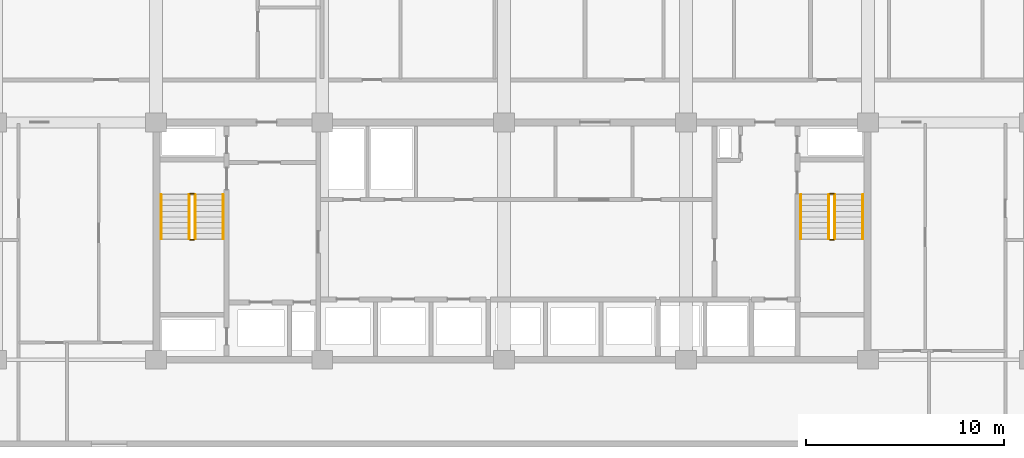
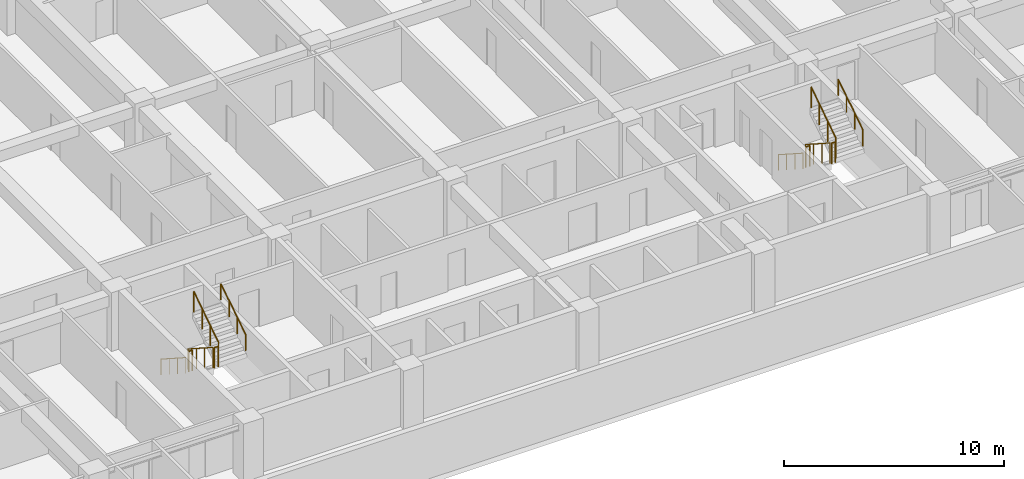
# One storey, part 22 of 23: 12 railings.
"""IFC4 building model written with IfcOpenShell, lengths in metres."""

from ifc_helpers import new_model, si_unit, direction, frame, origin, origin_2d, place, context, subcontext, project, spatial, circle, extrude, material, type_object, element, save


model = new_model("IFC4")

# Units and contexts
model_context = context("Model", 3, precision=1e-05, world=origin(), true_north=direction((0.0, 1.0)))
body_context = subcontext(model_context, "Body", "Model", "MODEL_VIEW")
ifc_project = project(units=[si_unit("LENGTHUNIT", "METRE"), si_unit("AREAUNIT", "SQUARE_METRE"), si_unit("VOLUMEUNIT", "CUBIC_METRE"), si_unit("PLANEANGLEUNIT", "RADIAN"), si_unit("MASSUNIT", "GRAM", prefix="KILO")], contexts=[model_context])

# Site, building, storey
site_placement = place(None, origin())
site = spatial("IfcSite", under=ifc_project, at=site_placement, CompositionType="ELEMENT")
building_placement = place(site_placement, origin())
building = spatial("IfcBuilding", under=site, at=building_placement, Name="Korimba Cascade Residences", CompositionType="ELEMENT")
storey_placement = place(building_placement, frame((0.0, 0.0, 37.0)))
storey = spatial("IfcBuildingStorey", under=building, at=storey_placement, Name="L09", CompositionType="ELEMENT", Elevation=37.0)

# Railings
ifc_material_1 = material(Name="Painted Steel Stairwell Guardrail", Category="steel")
railing_type_1 = type_object("IfcRailingType", Name="RLG-ST-GD1150", PredefinedType="GUARDRAIL", material=ifc_material_1)
railing_1_placement = place(storey_placement, frame((77.77001953125, 63.550048828125, 0.1806640625)))
element("IfcRailing", 1, at=railing_1_placement, inside=storey, type_object=railing_type_1, Name="L09 ST-W1 stair guard 1", PredefinedType="GUARDRAIL", context=body_context, shape_type="SweptSolid", body=[
    extrude(circle(Radius=0.02392578125, at=origin_2d()), frame((0.0, 0.0, 1.1259765625), z_axis=(0.0, -0.840436612492, 0.541909863706), x_axis=(1.0, 0.0, 0.0)), (0.0, 0.0, 1.0), 2.665283203125),
    extrude(circle(Radius=0.02099609375, at=origin_2d()), origin(), (0.0, 0.0, 1.0), 1.101806640625),
    extrude(circle(Radius=0.02099609375, at=origin_2d()), frame((0.0, -0.74658203125, 0.4814453125)), (0.0, 0.0, 1.0), 1.101806640625),
    extrude(circle(Radius=0.02099609375, at=origin_2d()), frame((0.0, -1.493408203125, 0.962890625)), (0.0, 0.0, 1.0), 1.101806640625),
    extrude(circle(Radius=0.02099609375, at=origin_2d()), frame((0.0, -2.239990234375, 1.4443359375)), (0.0, 0.0, 1.0), 1.101806640625),
])
railing_2_placement = place(storey_placement, frame((77.820068359375, 61.260009765625, 1.625)))
element("IfcRailing", 2, at=railing_2_placement, inside=storey, type_object=railing_type_1, Name="L09 ST-W1 stair guard 2", PredefinedType="GUARDRAIL", context=body_context, shape_type="SweptSolid", body=[
    extrude(circle(Radius=0.02392578125, at=origin_2d()), frame((0.0, 0.0, 1.1259765625), z_axis=(1.0, 0.0, 0.0), x_axis=(0.0, 1.0, 0.0)), (0.0, 0.0, 1.0), 0.199951171875),
    extrude(circle(Radius=0.02099609375, at=origin_2d()), origin(), (0.0, 0.0, 1.0), 1.101806640625),
    extrude(circle(Radius=0.02099609375, at=origin_2d()), frame((0.199951171875, 0.0, 0.0)), (0.0, 0.0, 1.0), 1.101806640625),
])
railing_3_placement = place(storey_placement, frame((78.070068359375, 61.31005859375, 1.8056640625)))
element("IfcRailing", 3, at=railing_3_placement, inside=storey, type_object=railing_type_1, Name="L09 ST-W1 stair guard 3", PredefinedType="GUARDRAIL", context=body_context, shape_type="SweptSolid", body=[
    extrude(circle(Radius=0.02392578125, at=origin_2d()), frame((0.0, 0.0, 1.1259765625), z_axis=(0.0, 0.840436612492, 0.541909863706), x_axis=(-1.0, 0.0, 0.0)), (0.0, 0.0, 1.0), 2.665283203125),
    extrude(circle(Radius=0.02099609375, at=origin_2d()), origin(), (0.0, 0.0, 1.0), 1.101806640625),
    extrude(circle(Radius=0.02099609375, at=origin_2d()), frame((0.0, 0.74658203125, 0.4814453125)), (0.0, 0.0, 1.0), 1.101806640625),
    extrude(circle(Radius=0.02099609375, at=origin_2d()), frame((0.0, 1.493408203125, 0.962890625)), (0.0, 0.0, 1.0), 1.101806640625),
    extrude(circle(Radius=0.02099609375, at=origin_2d()), frame((0.0, 2.239990234375, 1.4443359375)), (0.0, 0.0, 1.0), 1.101806640625),
])
railing_4_placement = place(storey_placement, frame((77.820068359375, 63.60009765625, 0.0)))
element("IfcRailing", 4, at=railing_4_placement, inside=storey, type_object=railing_type_1, Name="L09 ST-W1 stair guard 4", PredefinedType="GUARDRAIL", context=body_context, shape_type="SweptSolid", body=[
    extrude(circle(Radius=0.02392578125, at=origin_2d()), frame((0.0, 0.0, 1.1259765625), z_axis=(1.0, 0.0, 0.0), x_axis=(0.0, 1.0, 0.0)), (0.0, 0.0, 1.0), 0.199951171875),
    extrude(circle(Radius=0.02099609375, at=origin_2d()), origin(), (0.0, 0.0, 1.0), 1.101806640625),
    extrude(circle(Radius=0.02099609375, at=origin_2d()), frame((0.199951171875, 0.0, 0.0)), (0.0, 0.0, 1.0), 1.101806640625),
])
railing_5_placement = place(storey_placement, frame((110.1298828125, 63.550048828125, 0.1806640625)))
element("IfcRailing", 5, at=railing_5_placement, inside=storey, type_object=railing_type_1, Name="L09 ST-W2 stair guard 1", PredefinedType="GUARDRAIL", context=body_context, shape_type="SweptSolid", body=[
    extrude(circle(Radius=0.02392578125, at=origin_2d()), frame((0.0, 0.0, 1.1259765625), z_axis=(0.0, -0.840436612492, 0.541909863706), x_axis=(1.0, 0.0, 0.0)), (0.0, 0.0, 1.0), 2.665283203125),
    extrude(circle(Radius=0.02099609375, at=origin_2d()), origin(), (0.0, 0.0, 1.0), 1.101806640625),
    extrude(circle(Radius=0.02099609375, at=origin_2d()), frame((0.0, -0.74658203125, 0.4814453125)), (0.0, 0.0, 1.0), 1.101806640625),
    extrude(circle(Radius=0.02099609375, at=origin_2d()), frame((0.0, -1.493408203125, 0.962890625)), (0.0, 0.0, 1.0), 1.101806640625),
    extrude(circle(Radius=0.02099609375, at=origin_2d()), frame((0.0, -2.239990234375, 1.4443359375)), (0.0, 0.0, 1.0), 1.101806640625),
])
railing_6_placement = place(storey_placement, frame((110.179931640625, 61.260009765625, 1.625)))
element("IfcRailing", 6, at=railing_6_placement, inside=storey, type_object=railing_type_1, Name="L09 ST-W2 stair guard 2", PredefinedType="GUARDRAIL", context=body_context, shape_type="SweptSolid", body=[
    extrude(circle(Radius=0.02392578125, at=origin_2d()), frame((0.0, 0.0, 1.1259765625), z_axis=(1.0, 0.0, 0.0), x_axis=(0.0, 1.0, 0.0)), (0.0, 0.0, 1.0), 0.199951171875),
    extrude(circle(Radius=0.02099609375, at=origin_2d()), origin(), (0.0, 0.0, 1.0), 1.101806640625),
    extrude(circle(Radius=0.02099609375, at=origin_2d()), frame((0.199951171875, 0.0, 0.0)), (0.0, 0.0, 1.0), 1.101806640625),
])
railing_7_placement = place(storey_placement, frame((110.429931640625, 61.31005859375, 1.8056640625)))
element("IfcRailing", 7, at=railing_7_placement, inside=storey, type_object=railing_type_1, Name="L09 ST-W2 stair guard 3", PredefinedType="GUARDRAIL", context=body_context, shape_type="SweptSolid", body=[
    extrude(circle(Radius=0.02392578125, at=origin_2d()), frame((0.0, 0.0, 1.1259765625), z_axis=(0.0, 0.840436612492, 0.541909863706), x_axis=(-1.0, 0.0, 0.0)), (0.0, 0.0, 1.0), 2.665283203125),
    extrude(circle(Radius=0.02099609375, at=origin_2d()), origin(), (0.0, 0.0, 1.0), 1.101806640625),
    extrude(circle(Radius=0.02099609375, at=origin_2d()), frame((0.0, 0.74658203125, 0.4814453125)), (0.0, 0.0, 1.0), 1.101806640625),
    extrude(circle(Radius=0.02099609375, at=origin_2d()), frame((0.0, 1.493408203125, 0.962890625)), (0.0, 0.0, 1.0), 1.101806640625),
    extrude(circle(Radius=0.02099609375, at=origin_2d()), frame((0.0, 2.239990234375, 1.4443359375)), (0.0, 0.0, 1.0), 1.101806640625),
])
railing_8_placement = place(storey_placement, frame((110.179931640625, 63.60009765625, 0.0)))
element("IfcRailing", 8, at=railing_8_placement, inside=storey, type_object=railing_type_1, Name="L09 ST-W2 stair guard 4", PredefinedType="GUARDRAIL", context=body_context, shape_type="SweptSolid", body=[
    extrude(circle(Radius=0.02392578125, at=origin_2d()), frame((0.0, 0.0, 1.1259765625), z_axis=(1.0, 0.0, 0.0), x_axis=(0.0, 1.0, 0.0)), (0.0, 0.0, 1.0), 0.199951171875),
    extrude(circle(Radius=0.02099609375, at=origin_2d()), origin(), (0.0, 0.0, 1.0), 1.101806640625),
    extrude(circle(Radius=0.02099609375, at=origin_2d()), frame((0.199951171875, 0.0, 0.0)), (0.0, 0.0, 1.0), 1.101806640625),
])
ifc_material_2 = material(Name="Brushed Stainless Steel Handrail", Category="steel")
railing_type_2 = type_object("IfcRailingType", Name="RLG-ST-HR900", PredefinedType="HANDRAIL", material=ifc_material_2)
railing_9_placement = place(storey_placement, frame((76.35009765625, 63.550048828125, 0.364990234375)))
element("IfcRailing", 9, at=railing_9_placement, inside=storey, type_object=railing_type_2, Name="L09 ST-W1 stair handrail 1", PredefinedType="HANDRAIL", context=body_context, shape_type="SweptSolid", body=[
    extrude(circle(Radius=0.02392578125, at=origin_2d()), frame((0.0, 0.0, 0.8759765625), z_axis=(0.0, -0.840436612492, 0.541909863706), x_axis=(1.0, 0.0, 0.0)), (0.0, 0.0, 1.0), 2.665283203125),
    extrude(circle(Radius=0.02099609375, at=origin_2d()), origin(), (0.0, 0.0, 1.0), 0.851806640625),
    extrude(circle(Radius=0.02099609375, at=origin_2d()), frame((0.0, -0.74658203125, 0.4814453125)), (0.0, 0.0, 1.0), 0.851806640625),
    extrude(circle(Radius=0.02099609375, at=origin_2d()), frame((0.0, -1.493408203125, 0.962890625)), (0.0, 0.0, 1.0), 0.851806640625),
    extrude(circle(Radius=0.02099609375, at=origin_2d()), frame((0.0, -2.239990234375, 1.4443359375)), (0.0, 0.0, 1.0), 0.851806640625),
])
railing_10_placement = place(storey_placement, frame((79.489990234375, 61.31005859375, 1.989990234375)))
element("IfcRailing", 10, at=railing_10_placement, inside=storey, type_object=railing_type_2, Name="L09 ST-W1 stair handrail 2", PredefinedType="HANDRAIL", context=body_context, shape_type="SweptSolid", body=[
    extrude(circle(Radius=0.02392578125, at=origin_2d()), frame((0.0, 0.0, 0.8759765625), z_axis=(0.0, 0.840436612492, 0.541909863706), x_axis=(-1.0, 0.0, 0.0)), (0.0, 0.0, 1.0), 2.665283203125),
    extrude(circle(Radius=0.02099609375, at=origin_2d()), origin(), (0.0, 0.0, 1.0), 0.851806640625),
    extrude(circle(Radius=0.02099609375, at=origin_2d()), frame((0.0, 0.74658203125, 0.4814453125)), (0.0, 0.0, 1.0), 0.851806640625),
    extrude(circle(Radius=0.02099609375, at=origin_2d()), frame((0.0, 1.493408203125, 0.962890625)), (0.0, 0.0, 1.0), 0.851806640625),
    extrude(circle(Radius=0.02099609375, at=origin_2d()), frame((0.0, 2.239990234375, 1.4443359375)), (0.0, 0.0, 1.0), 0.851806640625),
])
railing_11_placement = place(storey_placement, frame((108.7099609375, 63.550048828125, 0.364990234375)))
element("IfcRailing", 11, at=railing_11_placement, inside=storey, type_object=railing_type_2, Name="L09 ST-W2 stair handrail 1", PredefinedType="HANDRAIL", context=body_context, shape_type="SweptSolid", body=[
    extrude(circle(Radius=0.02392578125, at=origin_2d()), frame((0.0, 0.0, 0.8759765625), z_axis=(0.0, -0.840436612492, 0.541909863706), x_axis=(1.0, 0.0, 0.0)), (0.0, 0.0, 1.0), 2.665283203125),
    extrude(circle(Radius=0.02099609375, at=origin_2d()), origin(), (0.0, 0.0, 1.0), 0.851806640625),
    extrude(circle(Radius=0.02099609375, at=origin_2d()), frame((0.0, -0.74658203125, 0.4814453125)), (0.0, 0.0, 1.0), 0.851806640625),
    extrude(circle(Radius=0.02099609375, at=origin_2d()), frame((0.0, -1.493408203125, 0.962890625)), (0.0, 0.0, 1.0), 0.851806640625),
    extrude(circle(Radius=0.02099609375, at=origin_2d()), frame((0.0, -2.239990234375, 1.4443359375)), (0.0, 0.0, 1.0), 0.851806640625),
])
railing_12_placement = place(storey_placement, frame((111.85009765625, 61.31005859375, 1.989990234375)))
element("IfcRailing", 12, at=railing_12_placement, inside=storey, type_object=railing_type_2, Name="L09 ST-W2 stair handrail 2", PredefinedType="HANDRAIL", context=body_context, shape_type="SweptSolid", body=[
    extrude(circle(Radius=0.02392578125, at=origin_2d()), frame((0.0, 0.0, 0.8759765625), z_axis=(0.0, 0.840436612492, 0.541909863706), x_axis=(-1.0, 0.0, 0.0)), (0.0, 0.0, 1.0), 2.665283203125),
    extrude(circle(Radius=0.02099609375, at=origin_2d()), origin(), (0.0, 0.0, 1.0), 0.851806640625),
    extrude(circle(Radius=0.02099609375, at=origin_2d()), frame((0.0, 0.74658203125, 0.4814453125)), (0.0, 0.0, 1.0), 0.851806640625),
    extrude(circle(Radius=0.02099609375, at=origin_2d()), frame((0.0, 1.493408203125, 0.962890625)), (0.0, 0.0, 1.0), 0.851806640625),
    extrude(circle(Radius=0.02099609375, at=origin_2d()), frame((0.0, 2.239990234375, 1.4443359375)), (0.0, 0.0, 1.0), 0.851806640625),
])

save(model, "model.ifc")
